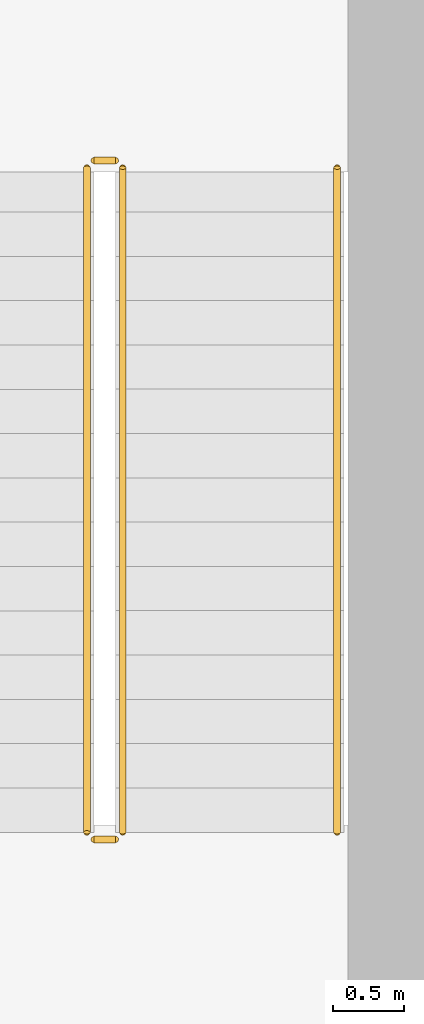
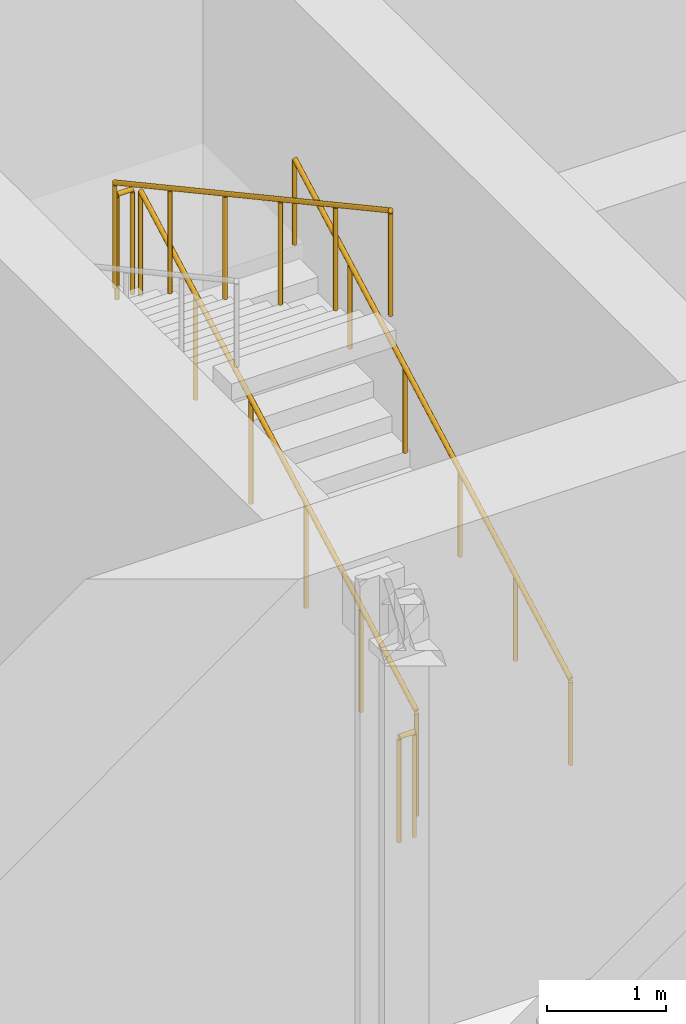
# One storey, part 20 of 23: 5 railings.
"""IFC4 building model written with IfcOpenShell, lengths in metres."""

import ifcopenshell
import ifcopenshell.guid

model = None  # the IFC model being written
_history = None  # IfcOwnerHistory: only IFC2X3 demands one
_inside = {}  # id of a spatial element -> (the spatial element, [elements in it])
_under = {}  # id of a project, library or spatial element -> (it, [spatial elements below it])
_declared = {}  # id of a project -> (the project, [libraries it declares])
_typed = {}  # id of a type object -> (the type object, [elements of that type])
_made_of = {}  # id of a material, layer set ... -> (it, [elements and type objects made of it])


def new_model(schema):
    """Start an empty IFC model of exactly this schema.

    Asked for "IFC4X3", IfcOpenShell would pick the latest addendum, in which some entities
    have other attributes; the version numbers below select the first issue.
    IFC2X3 requires an IfcOwnerHistory on every rooted entity: one is made here for all.
    """
    global model, _history
    if schema == "IFC4X3":
        model = ifcopenshell.file(schema_version=(4, 3, 0, 0))
    else:
        model = ifcopenshell.file(schema=schema)
    _inside.clear()
    _under.clear()
    _declared.clear()
    _typed.clear()
    _made_of.clear()
    _history = None
    if model.schema == "IFC2X3":
        org = make("IfcOrganization", Name="unknown")
        user = make(
            "IfcPersonAndOrganization",
            ThePerson=make("IfcPerson", FamilyName="unknown"),
            TheOrganization=org,
        )
        app = make(
            "IfcApplication",
            ApplicationDeveloper=org,
            Version="unknown",
            ApplicationFullName="unknown",
            ApplicationIdentifier="unknown",
        )
        _history = make(
            "IfcOwnerHistory",
            OwningUser=user,
            OwningApplication=app,
            ChangeAction="ADDED",
            CreationDate=0,
        )
    return model


def make(cls, **values):
    """One entity of the class cls with the attributes given. An attribute that is None is left unset."""
    return model.create_entity(
        cls, **{name: value for name, value in values.items() if value is not None}
    )


def rooted(cls, **values):
    """An entity with a GlobalId (a new one), such as an element, a storey or a relation."""
    return make(cls, GlobalId=ifcopenshell.guid.new(), OwnerHistory=_history, **values)


def si_unit(unit_type, name, prefix=None):
    """IfcSIUnit, for example si_unit("LENGTHUNIT", "METRE", prefix="MILLI")."""
    return make("IfcSIUnit", UnitType=unit_type, Prefix=prefix, Name=name)


def assignment(units):
    """IfcUnitAssignment: the units of a project."""
    return None if units is None else make("IfcUnitAssignment", Units=units)


def point(xyz):
    """IfcCartesianPoint."""
    return None if xyz is None else make("IfcCartesianPoint", Coordinates=xyz)


def direction(xyz):
    """IfcDirection."""
    return None if xyz is None else make("IfcDirection", DirectionRatios=xyz)


def frame(location, z_axis=None, x_axis=None):
    """IfcAxis2Placement3D, a coordinate frame: its origin and axes. An axis left out is left unset."""
    return make(
        "IfcAxis2Placement3D",
        Location=point(location),
        Axis=direction(z_axis),
        RefDirection=direction(x_axis),
    )


def frame_2d(location, x_axis=None):
    """IfcAxis2Placement2D, a coordinate frame in the plane: its origin and x axis."""
    return make(
        "IfcAxis2Placement2D", Location=point(location), RefDirection=direction(x_axis)
    )


def origin():
    """The frame at (0, 0, 0) with its axes left unset."""
    return frame((0.0, 0.0, 0.0))


def origin_2d():
    """The frame at (0, 0) in the plane with its x axis left unset."""
    return frame_2d((0.0, 0.0))


def place(relative_to, where):
    """IfcLocalPlacement: puts the frame where relative to a parent placement (None: the world)."""
    return make(
        "IfcLocalPlacement", PlacementRelTo=relative_to, RelativePlacement=where
    )


def context(
    kind, dimensions, precision=None, world=None, true_north=None, identifier=None
):
    """IfcGeometricRepresentationContext, for example the 3D "Model" context."""
    return make(
        "IfcGeometricRepresentationContext",
        ContextIdentifier=identifier,
        ContextType=kind,
        CoordinateSpaceDimension=dimensions,
        Precision=precision,
        WorldCoordinateSystem=world,
        TrueNorth=true_north,
    )


def subcontext(parent, identifier, kind, view, scale=None):
    """IfcGeometricRepresentationSubContext, for example "Body" below "Model"."""
    return make(
        "IfcGeometricRepresentationSubContext",
        ContextIdentifier=identifier,
        ContextType=kind,
        ParentContext=parent,
        TargetScale=scale,
        TargetView=view,
    )


def project(units=None, contexts=None):
    """IfcProject with its units and contexts."""
    return rooted(
        "IfcProject",
        Name="project",
        RepresentationContexts=contexts,
        UnitsInContext=assignment(units),
    )


def spatial(cls, under=None, at=None, **own):
    """A site, building, storey or space (cls), placed at a placement, below another one or the project."""
    s = rooted(cls, ObjectPlacement=at, **own)
    if under is not None:
        _under.setdefault(under.id(), (under, []))[1].append(s)
    return s


def profile(cls, at=None, kind="AREA", **sizes):
    """A parametric profile (cls). Its sizes go by their IFC names, for example OverallWidth=200.0."""
    return make(cls, ProfileType=kind, Position=at, **sizes)


def circle(**sizes):
    """IfcCircleProfileDef."""
    return profile("IfcCircleProfileDef", **sizes)


def extrude(swept, where, along, depth):
    """IfcExtrudedAreaSolid: the profile swept, set in the frame where, extruded along a direction by depth."""
    return make(
        "IfcExtrudedAreaSolid",
        SweptArea=swept,
        Position=where,
        ExtrudedDirection=direction(along),
        Depth=depth,
    )


def shape(context_of_items, identifier, shape_type, items):
    """IfcShapeRepresentation: the items that make up one representation, for example the "Body"."""
    return make(
        "IfcShapeRepresentation",
        ContextOfItems=context_of_items,
        RepresentationIdentifier=identifier,
        RepresentationType=shape_type,
        Items=items,
    )


def material(Name=None, Category=None):
    """IfcMaterial."""
    return make("IfcMaterial", Name=Name, Category=Category)


def made_of(thing, what):
    """Note that an element or type object is made of a material, layer set ...; save() writes the relation."""
    if what is not None:
        _made_of.setdefault(what.id(), (what, []))[1].append(thing)
    return thing


def type_object(cls, material=None, **own):
    """A type object (cls), such as IfcWallType, which elements share."""
    return made_of(rooted(cls, **own), material)


def element(
    cls,
    number,
    at=None,
    inside=None,
    cuts=None,
    type_object=None,
    material=None,
    context=None,
    identifier="Body",
    shape_type=None,
    held_by="IfcProductDefinitionShape",
    body=None,
    shapes=None,
    **own,
):
    """One element of the class cls, such as IfcWall. Its Tag is "e" and its number.

    at: its placement. inside: the storey or other place that contains it. cuts: it is an
    opening in that element (IfcRelVoidsElement). A single representation is given by context,
    identifier, shape_type and body (its items); several are given by shapes. held_by: the class
    of the entity that holds the representations. save() writes the other relations.
    """
    e = rooted(cls, Tag="e%d" % number, ObjectPlacement=at, **own)
    if body is not None:
        shapes = [shape(context, identifier, shape_type, body)]
    if shapes is not None:
        e.Representation = make(held_by, Representations=shapes)
    if inside is not None:
        _inside.setdefault(inside.id(), (inside, []))[1].append(e)
    if cuts is not None:
        rooted(
            "IfcRelVoidsElement", RelatingBuildingElement=cuts, RelatedOpeningElement=e
        )
    if type_object is not None:
        _typed.setdefault(type_object.id(), (type_object, []))[1].append(e)
    return made_of(e, material)


def aggregate(whole, parts):
    """IfcRelAggregates: a whole, such as a stair, and the parts it consists of."""
    return rooted("IfcRelAggregates", RelatingObject=whole, RelatedObjects=parts)


def save(model, path):
    """Write the relations noted so far, then the file.

    IfcRelAggregates (storeys below a building ...), IfcRelContainedInSpatialStructure (elements
    in a storey), IfcRelDefinesByType, IfcRelAssociatesMaterial and IfcRelDeclares: one each for
    every whole, place, type object, material and project.
    """
    for whole, parts in _under.values():
        aggregate(whole, parts)
    for where, things in _inside.values():
        rooted(
            "IfcRelContainedInSpatialStructure",
            RelatedElements=things,
            RelatingStructure=where,
        )
    for kind, things in _typed.values():
        rooted("IfcRelDefinesByType", RelatedObjects=things, RelatingType=kind)
    for what, things in _made_of.values():
        rooted("IfcRelAssociatesMaterial", RelatedObjects=things, RelatingMaterial=what)
    for by, libraries in _declared.values():
        rooted("IfcRelDeclares", RelatingContext=by, RelatedDefinitions=libraries)
    model.write(path)


model = new_model("IFC4")

# Units and contexts
model_context = context("Model", 3, precision=1e-05, world=origin(), true_north=direction((0.0, 1.0)))
body_context = subcontext(model_context, "Body", "Model", "MODEL_VIEW")
ifc_project = project(units=[si_unit("LENGTHUNIT", "METRE"), si_unit("AREAUNIT", "SQUARE_METRE"), si_unit("VOLUMEUNIT", "CUBIC_METRE"), si_unit("PLANEANGLEUNIT", "RADIAN"), si_unit("MASSUNIT", "GRAM", prefix="KILO")], contexts=[model_context])

# Site, building, storey
site_placement = place(None, origin())
site = spatial("IfcSite", under=ifc_project, at=site_placement, CompositionType="ELEMENT")
building_placement = place(site_placement, origin())
building = spatial("IfcBuilding", under=site, at=building_placement, Name="Madar Terraces", CompositionType="ELEMENT")
storey_placement = place(building_placement, frame((0.0, 0.0, 83.800048828125)))
storey = spatial("IfcBuildingStorey", under=building, at=storey_placement, Name="L21", CompositionType="ELEMENT", Elevation=83.800048828125)

# Railings
ifc_material_1 = material(Name="Stainless steel railing", Category="steel")
railing_type_1 = type_object("IfcRailingType", Name="Stair guard 1100", PredefinedType="GUARDRAIL", material=ifc_material_1)
railing_1_placement = place(storey_placement, frame((21.199951171875, 17.60009765625, 0.168701171875)))
element("IfcRailing", 1, at=railing_1_placement, inside=storey, type_object=railing_type_1, Name="L21 ST1 stair guard 1", PredefinedType="GUARDRAIL", context=body_context, shape_type="SweptSolid", body=[
    extrude(circle(Radius=0.02392578125, at=origin_2d()), frame((0.0, 0.0, 1.076171875), z_axis=(0.0, 0.878297076953, 0.478115304728), x_axis=(-1.0, 0.0, 0.0)), (0.0, 0.0, 1.0), 5.294189453125),
    extrude(circle(Radius=0.02099609375, at=origin_2d()), origin(), (0.0, 0.0, 1.0), 1.052001953125),
    extrude(circle(Radius=0.02099609375, at=origin_2d()), frame((0.0, 0.929931640625, 0.50634765625)), (0.0, 0.0, 1.0), 1.052001953125),
    extrude(circle(Radius=0.02099609375, at=origin_2d()), frame((0.0, 1.85986328125, 1.012451171875)), (0.0, 0.0, 1.0), 1.052001953125),
    extrude(circle(Radius=0.02099609375, at=origin_2d()), frame((0.0, 2.7900390625, 1.518798828125)), (0.0, 0.0, 1.0), 1.052001953125),
    extrude(circle(Radius=0.02099609375, at=origin_2d()), frame((0.0, 3.719970703125, 2.02490234375)), (0.0, 0.0, 1.0), 1.052001953125),
    extrude(circle(Radius=0.02099609375, at=origin_2d()), frame((0.0, 4.64990234375, 2.53125)), (0.0, 0.0, 1.0), 1.052001953125),
])
railing_2_placement = place(storey_placement, frame((21.14990234375, 22.300048828125, 2.699951171875)))
element("IfcRailing", 2, at=railing_2_placement, inside=storey, type_object=railing_type_1, Name="L21 ST1 stair guard 2", PredefinedType="GUARDRAIL", context=body_context, shape_type="SweptSolid", body=[
    extrude(circle(Radius=0.02392578125, at=origin_2d()), frame((0.0, 0.0, 1.076171875), z_axis=(-1.0, 0.0, 0.0), x_axis=(0.0, -1.0, 0.0)), (0.0, 0.0, 1.0), 0.14990234375),
    extrude(circle(Radius=0.02099609375, at=origin_2d()), origin(), (0.0, 0.0, 1.0), 1.052001953125),
    extrude(circle(Radius=0.02099609375, at=origin_2d()), frame((-0.14990234375, 0.0, 0.0)), (0.0, 0.0, 1.0), 1.052001953125),
])
railing_3_placement = place(storey_placement, frame((20.949951171875, 22.25, 2.86865234375)))
element("IfcRailing", 3, at=railing_3_placement, inside=storey, type_object=railing_type_1, Name="L21 ST1 stair guard 3", PredefinedType="GUARDRAIL", context=body_context, shape_type="SweptSolid", body=[
    extrude(circle(Radius=0.02392578125, at=origin_2d()), frame((0.0, 0.0, 1.076171875), z_axis=(0.0, -0.878297076953, 0.478115304728), x_axis=(1.0, 0.0, 0.0)), (0.0, 0.0, 1.0), 5.294189453125),
    extrude(circle(Radius=0.02099609375, at=origin_2d()), origin(), (0.0, 0.0, 1.0), 1.052001953125),
    extrude(circle(Radius=0.02099609375, at=origin_2d()), frame((0.0, -0.929931640625, 0.50634765625)), (0.0, 0.0, 1.0), 1.052001953125),
    extrude(circle(Radius=0.02099609375, at=origin_2d()), frame((0.0, -1.85986328125, 1.012451171875)), (0.0, 0.0, 1.0), 1.052001953125),
    extrude(circle(Radius=0.02099609375, at=origin_2d()), frame((0.0, -2.7900390625, 1.518798828125)), (0.0, 0.0, 1.0), 1.052001953125),
    extrude(circle(Radius=0.02099609375, at=origin_2d()), frame((0.0, -3.719970703125, 2.02490234375)), (0.0, 0.0, 1.0), 1.052001953125),
    extrude(circle(Radius=0.02099609375, at=origin_2d()), frame((0.0, -4.64990234375, 2.53125)), (0.0, 0.0, 1.0), 1.052001953125),
])
railing_4_placement = place(storey_placement, frame((21.14990234375, 17.550048828125, 0.0)))
element("IfcRailing", 4, at=railing_4_placement, inside=storey, type_object=railing_type_1, Name="L21 ST1 stair guard 4", PredefinedType="GUARDRAIL", context=body_context, shape_type="SweptSolid", body=[
    extrude(circle(Radius=0.02392578125, at=origin_2d()), frame((0.0, 0.0, 1.076171875), z_axis=(-1.0, 0.0, 0.0), x_axis=(0.0, -1.0, 0.0)), (0.0, 0.0, 1.0), 0.14990234375),
    extrude(circle(Radius=0.02099609375, at=origin_2d()), origin(), (0.0, 0.0, 1.0), 1.052001953125),
    extrude(circle(Radius=0.02099609375, at=origin_2d()), frame((-0.14990234375, 0.0, 0.0)), (0.0, 0.0, 1.0), 1.052001953125),
])
ifc_material_2 = material(Name="Stainless steel railing", Category="steel")
railing_type_2 = type_object("IfcRailingType", Name="Stair handrail 900", PredefinedType="HANDRAIL", material=ifc_material_2)
railing_5_placement = place(storey_placement, frame((22.699951171875, 17.60009765625, 0.168701171875)))
element("IfcRailing", 5, at=railing_5_placement, inside=storey, type_object=railing_type_2, Name="L21 ST1 stair handrail 1", PredefinedType="HANDRAIL", context=body_context, shape_type="SweptSolid", body=[
    extrude(circle(Radius=0.02392578125, at=origin_2d()), frame((0.0, 0.0, 0.8759765625), z_axis=(0.0, 0.878297076953, 0.478115304728), x_axis=(-1.0, 0.0, 0.0)), (0.0, 0.0, 1.0), 5.294189453125),
    extrude(circle(Radius=0.02099609375, at=origin_2d()), origin(), (0.0, 0.0, 1.0), 0.851806640625),
    extrude(circle(Radius=0.02099609375, at=origin_2d()), frame((0.0, 0.929931640625, 0.50634765625)), (0.0, 0.0, 1.0), 0.851806640625),
    extrude(circle(Radius=0.02099609375, at=origin_2d()), frame((0.0, 1.85986328125, 1.012451171875)), (0.0, 0.0, 1.0), 0.851806640625),
    extrude(circle(Radius=0.02099609375, at=origin_2d()), frame((0.0, 2.7900390625, 1.518798828125)), (0.0, 0.0, 1.0), 0.851806640625),
    extrude(circle(Radius=0.02099609375, at=origin_2d()), frame((0.0, 3.719970703125, 2.02490234375)), (0.0, 0.0, 1.0), 0.851806640625),
    extrude(circle(Radius=0.02099609375, at=origin_2d()), frame((0.0, 4.64990234375, 2.53125)), (0.0, 0.0, 1.0), 0.851806640625),
])

save(model, "model.ifc")
